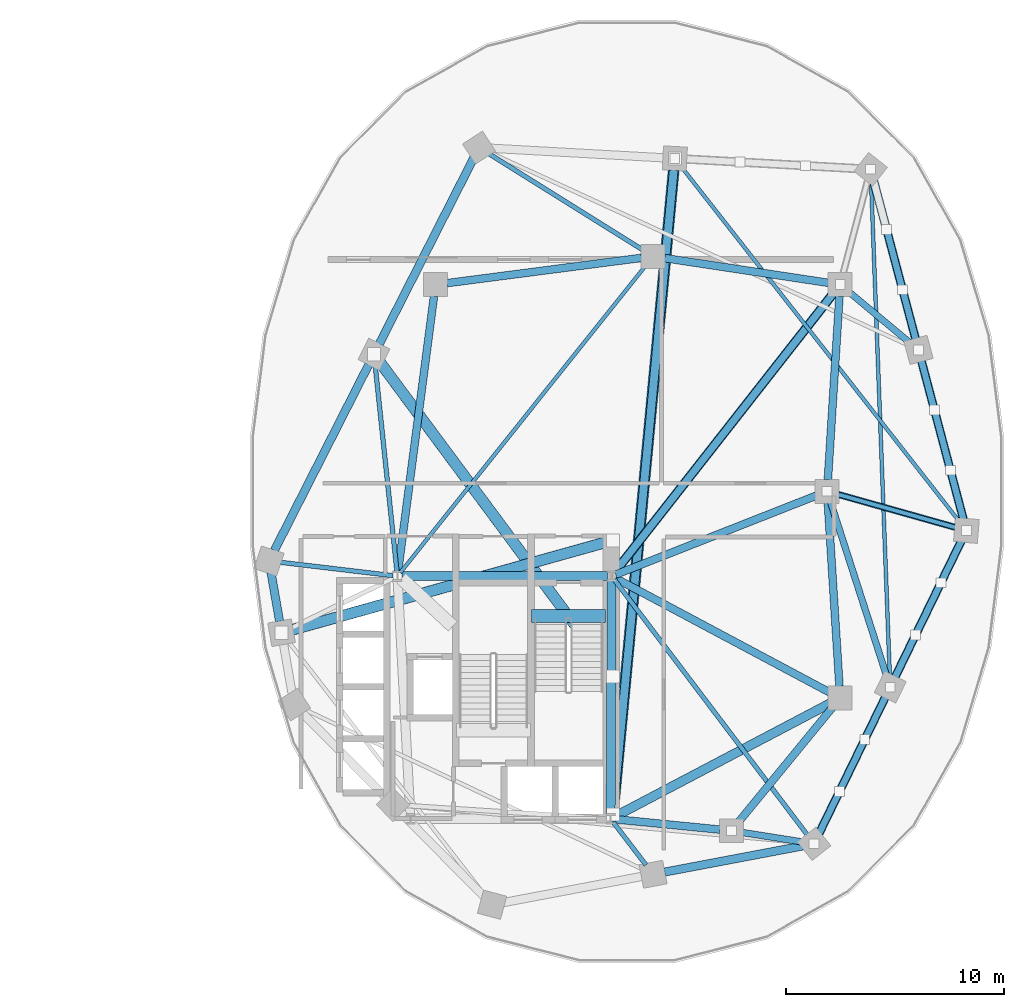
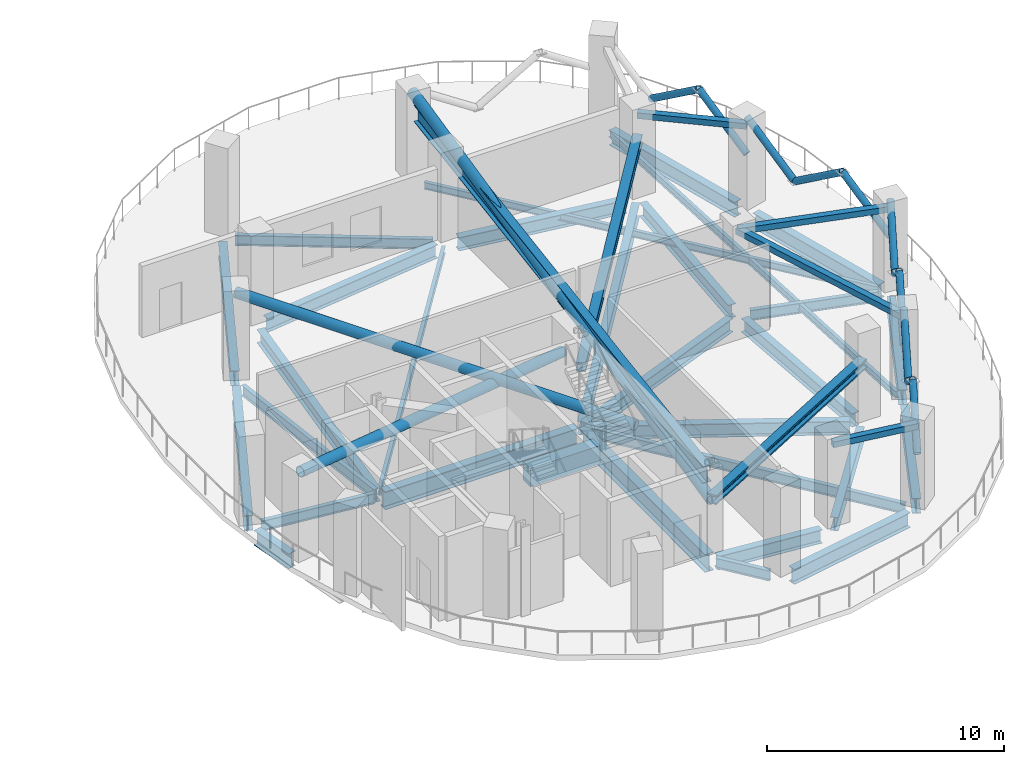
# One storey, part 3 of 12: 31 beams, 20 members.
"""IFC4 building model written with IfcOpenShell, lengths in metres."""

from ifc_helpers import new_model, si_unit, direction, frame, origin, origin_2d, place, context, subcontext, project, spatial, rectangle, hollow_rectangle, hollow_circle, i_section, extrude, material, material_profile, profile_set, type_object, element, save


model = new_model("IFC4")

# Units and contexts
model_context = context("Model", 3, precision=1e-05, world=origin(), true_north=direction((0.0, 1.0)))
body_context = subcontext(model_context, "Body", "Model", "MODEL_VIEW")
ifc_project = project(units=[si_unit("LENGTHUNIT", "METRE"), si_unit("AREAUNIT", "SQUARE_METRE"), si_unit("VOLUMEUNIT", "CUBIC_METRE"), si_unit("PLANEANGLEUNIT", "RADIAN"), si_unit("MASSUNIT", "GRAM", prefix="KILO"), si_unit("THERMODYNAMICTEMPERATUREUNIT", "KELVIN"), si_unit("POWERUNIT", "WATT")], contexts=[model_context])

# Site, building, storey
site_placement = place(None, origin())
site = spatial("IfcSite", under=ifc_project, at=site_placement, CompositionType="ELEMENT")
building_placement = place(site_placement, origin())
building = spatial("IfcBuilding", under=site, at=building_placement, Name="Cundina Bronze Exchange", CompositionType="ELEMENT")
storey_placement = place(building_placement, frame((0.0, 0.0, 132.199951171875)))
storey = spatial("IfcBuildingStorey", under=building, at=storey_placement, Name="L34", CompositionType="ELEMENT", Elevation=132.199951171875)

# Beams
ifc_material_1 = material(Name="Concrete C60/75", Category="concrete")
ifc_material_profile_1 = material_profile(ifc_material_1, rectangle(XDim=0.60009765625, YDim=0.949951171875, at=origin_2d()), Name="RC600X950", Category="concrete")
ifc_profile_set_1 = profile_set([ifc_material_profile_1], Name="Concrete C60/75")
beam_type_1 = type_object("IfcBeamType", Name="BM-COUP-RC950", PredefinedType="LINTEL", material=ifc_profile_set_1)
beam_1_placement = place(storey_placement, frame((27.6201171875, -5.719970703125, -0.474853515625), z_axis=(1.0, 0.0, 0.0), x_axis=(0.0, 1.0, 0.0)))
element("IfcBeam", 1, at=beam_1_placement, inside=storey, type_object=beam_type_1, Name="L34 Stair E1 Landing Header Beam", PredefinedType="LINTEL", context=body_context, shape_type="SweptSolid", body=[
    extrude(rectangle(XDim=0.60009765625, YDim=0.949951171875, at=origin_2d()), origin(), (0.0, 0.0, 1.0), 3.39990234375),
])
ifc_material_2 = material(Name="Steel ASTM A992 Grade 50", Category="steel")
ifc_material_profile_2 = material_profile(ifc_material_2, i_section(OverallWidth=0.2099609375, OverallDepth=0.532958984375, WebThickness=0.01025390625, FlangeThickness=0.015625, FilletRadius=0.013916015625, at=origin_2d()), Name="W21X62", Category="steel")
ifc_profile_set_2 = profile_set([ifc_material_profile_2], Name="Steel ASTM A992 Grade 50")
beam_type_2 = type_object("IfcBeamType", Name="BM-FLR-W21B", PredefinedType="BEAM", material=ifc_profile_set_2)
beam_2_placement = place(storey_placement, frame((21.247314453125, -3.8759765625, -0.54638671875), z_axis=(-0.993035701683, 0.117813815752, 0.0), x_axis=(-0.117813815752, -0.993035701683, 0.0)))
element("IfcBeam", 2, at=beam_2_placement, inside=storey, type_object=beam_type_2, Name="L34 Leg E Chordal Floor Beam 00", PredefinedType="BEAM", context=body_context, shape_type="SweptSolid", body=[
    extrude(i_section(OverallWidth=0.2099609375, OverallDepth=0.532958984375, WebThickness=0.01025390625, FlangeThickness=0.015625, FilletRadius=0.013916015625, at=origin_2d()), origin(), (0.0, 0.0, 1.0), 5.19921875),
])
beam_3_placement = place(storey_placement, frame((31.373779296875, -15.2119140625, -0.54638671875), z_axis=(0.607490490457, -0.79432695032, 0.0), x_axis=(0.79432695032, 0.607490490457, 0.0)))
element("IfcBeam", 3, at=beam_3_placement, inside=storey, type_object=beam_type_2, Name="L34 Leg E Chordal Floor Beam 05", PredefinedType="BEAM", context=body_context, shape_type="SweptSolid", body=[
    extrude(i_section(OverallWidth=0.2099609375, OverallDepth=0.532958984375, WebThickness=0.01025390625, FlangeThickness=0.015625, FilletRadius=0.013916015625, at=origin_2d()), origin(), (0.0, 0.0, 1.0), 2.46826171875),
])
beam_4_placement = place(storey_placement, frame((31.423095703125, -4.062744140625, -0.54638671875), z_axis=(0.603095885041, -0.797668699052, 0.0), x_axis=(0.797668699052, 0.603095885041, 0.0)))
element("IfcBeam", 4, at=beam_4_placement, inside=storey, type_object=beam_type_2, Name="L34 Leg E Chordal Floor Beam 06", PredefinedType="BEAM", context=body_context, shape_type="SweptSolid", body=[
    extrude(i_section(OverallWidth=0.2099609375, OverallDepth=0.532958984375, WebThickness=0.01025390625, FlangeThickness=0.015625, FilletRadius=0.013916015625, at=origin_2d()), origin(), (0.0, 0.0, 1.0), 14.677978515625),
])
beam_5_placement = place(storey_placement, frame((41.718017578125, -0.145751953125, -0.54638671875), z_axis=(0.962654865541, -0.270731619598, 0.0), x_axis=(0.270731619598, 0.962654865541, 0.0)))
element("IfcBeam", 5, at=beam_5_placement, inside=storey, type_object=beam_type_2, Name="L34 Leg E Chordal Floor Beam 08", PredefinedType="BEAM", context=body_context, shape_type="SweptSolid", body=[
    extrude(i_section(OverallWidth=0.2099609375, OverallDepth=0.532958984375, WebThickness=0.01025390625, FlangeThickness=0.015625, FilletRadius=0.013916015625, at=origin_2d()), origin(), (0.0, 0.0, 1.0), 5.572021484375),
])
beam_6_placement = place(storey_placement, frame((32.743896484375, 11.085205078125, -0.54638671875), z_axis=(-0.848003227047, 0.529991063055, 0.0), x_axis=(-0.529991063055, -0.848003227047, 0.0)))
element("IfcBeam", 6, at=beam_6_placement, inside=storey, type_object=beam_type_2, Name="L34 Leg E Chordal Floor Beam 12", PredefinedType="BEAM", context=body_context, shape_type="SweptSolid", body=[
    extrude(i_section(OverallWidth=0.2099609375, OverallDepth=0.532958984375, WebThickness=0.01025390625, FlangeThickness=0.015625, FilletRadius=0.013916015625, at=origin_2d()), origin(), (0.0, 0.0, 1.0), 8.358154296875),
])
beam_7_placement = place(storey_placement, frame((21.4287109375, -3.697021484375, -0.54638671875), z_axis=(-0.104822364957, 0.994490961148, 0.0), x_axis=(-0.994490961148, -0.104822364957, 0.0)))
element("IfcBeam", 7, at=beam_7_placement, inside=storey, type_object=beam_type_2, Name="L34 Leg E Chordal Floor Beam 13", PredefinedType="BEAM", context=body_context, shape_type="SweptSolid", body=[
    extrude(i_section(OverallWidth=0.2099609375, OverallDepth=0.532958984375, WebThickness=0.01025390625, FlangeThickness=0.015625, FilletRadius=0.013916015625, at=origin_2d()), origin(), (0.0, 0.0, 1.0), 9.514404296875),
])
ifc_material_profile_3 = material_profile(ifc_material_2, i_section(OverallWidth=0.172119140625, OverallDepth=0.35791015625, WebThickness=0.0078125, FlangeThickness=0.01318359375, FilletRadius=0.010009765625, at=origin_2d()), Name="W14X38", Category="steel")
ifc_profile_set_3 = profile_set([ifc_material_profile_3], Name="Steel ASTM A992 Grade 50")
beam_type_3 = type_object("IfcBeamType", Name="BM-JST-W14", PredefinedType="JOIST", material=ifc_profile_set_3)
beam_8_placement = place(storey_placement, frame((21.577392578125, -3.740478515625, -0.458984375), z_axis=(0.62436887964, 0.781129632095, 0.0), x_axis=(-0.781129632095, 0.62436887964, 0.0)))
element("IfcBeam", 8, at=beam_8_placement, inside=storey, type_object=beam_type_3, Name="L34 E Interior Core-to-Ring Joist 2", PredefinedType="JOIST", context=body_context, shape_type="SweptSolid", body=[
    extrude(i_section(OverallWidth=0.172119140625, OverallDepth=0.35791015625, WebThickness=0.0078125, FlangeThickness=0.01318359375, FilletRadius=0.010009765625, at=origin_2d()), origin(), (0.0, 0.0, 1.0), 18.076904296875),
])
beam_9_placement = place(storey_placement, frame((44.07958984375, -8.46240234375, -0.458984375), z_axis=(-0.03778951385, 0.999285721224, 0.0), x_axis=(-0.999285721224, -0.03778951385, 0.0)))
element("IfcBeam", 9, at=beam_9_placement, inside=storey, type_object=beam_type_3, Name="L34 Leg E Lobe Floor Joist 07-10", PredefinedType="JOIST", context=body_context, shape_type="SweptSolid", body=[
    extrude(i_section(OverallWidth=0.172119140625, OverallDepth=0.35791015625, WebThickness=0.0078125, FlangeThickness=0.01318359375, FilletRadius=0.010009765625, at=origin_2d()), origin(), (0.0, 0.0, 1.0), 22.7412109375),
])
beam_10_placement = place(storey_placement, frame((47.268310546875, -1.37646484375, -0.458984375), z_axis=(-0.616815348306, 0.787107887201, 0.0), x_axis=(-0.787107887201, -0.616815348306, 0.0)))
element("IfcBeam", 10, at=beam_10_placement, inside=storey, type_object=beam_type_3, Name="L34 Leg E Lobe Floor Joist 08-11", PredefinedType="JOIST", context=body_context, shape_type="SweptSolid", body=[
    extrude(i_section(OverallWidth=0.172119140625, OverallDepth=0.35791015625, WebThickness=0.0078125, FlangeThickness=0.01318359375, FilletRadius=0.010009765625, at=origin_2d()), origin(), (0.0, 0.0, 1.0), 20.64892578125),
])
ifc_material_profile_4 = material_profile(ifc_material_2, i_section(OverallWidth=0.39990234375, OverallDepth=0.85498046875, WebThickness=0.018310546875, FlangeThickness=0.029296875, FilletRadius=0.02001953125, at=origin_2d()), Name="W33X201", Category="steel")
ifc_profile_set_4 = profile_set([ifc_material_profile_4], Name="Steel ASTM A992 Grade 50")
beam_type_4 = type_object("IfcBeamType", Name="BM-OUT-W33", PredefinedType="USERDEFINED", material=ifc_profile_set_4)
beam_11_placement = place(storey_placement, frame((31.392333984375, -14.402099609375, 3.482666015625), z_axis=(0.094109454141, 0.995561856763, 0.0), x_axis=(-0.995561856763, 0.094109454141, 0.0)))
element("IfcBeam", 11, at=beam_11_placement, inside=storey, type_object=beam_type_4, Name="L34 E Outrigger Upper Tie Chord 1", ObjectType="GIRDER", PredefinedType="USERDEFINED", context=body_context, shape_type="SweptSolid", body=[
    extrude(i_section(OverallWidth=0.39990234375, OverallDepth=0.85498046875, WebThickness=0.018310546875, FlangeThickness=0.029296875, FilletRadius=0.02001953125, at=origin_2d()), origin(), (0.0, 0.0, 1.0), 29.296630859375),
])
ifc_material_profile_5 = material_profile(ifc_material_2, i_section(OverallWidth=0.35498046875, OverallDepth=0.695068359375, WebThickness=0.015380859375, FlangeThickness=0.02490234375, FilletRadius=0.01806640625, at=origin_2d()), Name="W27X146", Category="steel")
ifc_profile_set_5 = profile_set([ifc_material_profile_5], Name="Steel ASTM A992 Grade 50")
beam_type_5 = type_object("IfcBeamType", Name="BM-RING-W27", PredefinedType="USERDEFINED", material=ifc_profile_set_5)
beam_12_placement = place(storey_placement, frame((31.452880859375, -15.070068359375, -0.62744140625), z_axis=(0.995126271817, -0.098608839051, 0.0), x_axis=(0.098608839051, 0.995126271817, 0.0)))
element("IfcBeam", 12, at=beam_12_placement, inside=storey, type_object=beam_type_5, Name="L34 E Inner Structural Ring Girder 01", ObjectType="GIRDER", PredefinedType="USERDEFINED", context=body_context, shape_type="SweptSolid", body=[
    extrude(i_section(OverallWidth=0.35498046875, OverallDepth=0.695068359375, WebThickness=0.015380859375, FlangeThickness=0.02490234375, FilletRadius=0.01806640625, at=origin_2d()), origin(), (0.0, 0.0, 1.0), 4.83544921875),
])
beam_13_placement = place(storey_placement, frame((37.14111328125, -15.183837890625, -0.62744140625), z_axis=(0.633926549035, 0.773393257295, 0.0), x_axis=(-0.773393257295, 0.633926549035, 0.0)))
element("IfcBeam", 13, at=beam_13_placement, inside=storey, type_object=beam_type_5, Name="L34 E Inner Structural Ring Girder 02", ObjectType="GIRDER", PredefinedType="USERDEFINED", context=body_context, shape_type="SweptSolid", body=[
    extrude(i_section(OverallWidth=0.35498046875, OverallDepth=0.695068359375, WebThickness=0.015380859375, FlangeThickness=0.02490234375, FilletRadius=0.01806640625, at=origin_2d()), origin(), (0.0, 0.0, 1.0), 6.811279296875),
])
for number, where, z_axis, x_axis, name in (
    (14, (41.76611328125, -8.963134765625, -0.62744140625), (-0.06303715519, 0.998011180832, 0.0), (-0.998011180832, -0.06303715519, 0.0), "L34 E Inner Structural Ring Girder 03"),
    (15, (41.23388671875, 0.536865234375, -0.62744140625), (0.06303715519, 0.998011180832, 0.0), (-0.998011180832, 0.06303715519, 0.0), "L34 E Inner Structural Ring Girder 04"),
):
    element("IfcBeam", number, at=place(storey_placement, frame(where, z_axis=z_axis, x_axis=x_axis)), inside=storey, type_object=beam_type_5, Name=name, ObjectType="GIRDER", PredefinedType="USERDEFINED", context=body_context, shape_type="SweptSolid", body=[
        extrude(i_section(OverallWidth=0.35498046875, OverallDepth=0.695068359375, WebThickness=0.015380859375, FlangeThickness=0.02490234375, FilletRadius=0.01806640625, at=origin_2d()), origin(), (0.0, 0.0, 1.0), 8.443115234375),
    ])
beam_14_placement = place(storey_placement, frame((41.26806640625, 9.580322265625, -0.62744140625), z_axis=(-0.988767489563, 0.149461873341, 0.0), x_axis=(-0.149461873341, -0.988767489563, 0.0)))
element("IfcBeam", 16, at=beam_14_placement, inside=storey, type_object=beam_type_5, Name="L34 E Inner Structural Ring Girder 05", ObjectType="GIRDER", PredefinedType="USERDEFINED", context=body_context, shape_type="SweptSolid", body=[
    extrude(i_section(OverallWidth=0.35498046875, OverallDepth=0.695068359375, WebThickness=0.015380859375, FlangeThickness=0.02490234375, FilletRadius=0.01806640625, at=origin_2d()), origin(), (0.0, 0.0, 1.0), 7.621826171875),
])
beam_15_placement = place(storey_placement, frame((32.66650390625, 10.730712890625, -0.62744140625), z_axis=(-0.991654577907, -0.128923225666, 0.0), x_axis=(0.128923225666, -0.991654577907, 0.0)))
element("IfcBeam", 17, at=beam_15_placement, inside=storey, type_object=beam_type_5, Name="L34 E Inner Structural Ring Girder 06", ObjectType="GIRDER", PredefinedType="USERDEFINED", context=body_context, shape_type="SweptSolid", body=[
    extrude(i_section(OverallWidth=0.35498046875, OverallDepth=0.695068359375, WebThickness=0.015380859375, FlangeThickness=0.02490234375, FilletRadius=0.01806640625, at=origin_2d()), origin(), (0.0, 0.0, 1.0), 9.00830078125),
])
beam_16_placement = place(storey_placement, frame((23.13037109375, 8.966552734375, -0.62744140625), z_axis=(-0.129507526533, -0.99157843894, 0.0), x_axis=(0.99157843894, -0.129507526533, 0.0)))
element("IfcBeam", 18, at=beam_16_placement, inside=storey, type_object=beam_type_5, Name="L34 E Inner Structural Ring Girder 07", ObjectType="GIRDER", PredefinedType="USERDEFINED", context=body_context, shape_type="SweptSolid", body=[
    extrude(i_section(OverallWidth=0.35498046875, OverallDepth=0.695068359375, WebThickness=0.015380859375, FlangeThickness=0.02490234375, FilletRadius=0.01806640625, at=origin_2d()), origin(), (0.0, 0.0, 1.0), 12.77197265625),
])
beam_17_placement = place(storey_placement, frame((31.48974609375, -3.8251953125, -0.62744140625), z_axis=(0.930413235418, 0.366512225388, 0.0), x_axis=(-0.366512225388, 0.930413235418, 0.0)))
element("IfcBeam", 19, at=beam_17_placement, inside=storey, type_object=beam_type_5, Name="L34 E Core-to-Waist Tie Beam 1", ObjectType="GIRDER", PredefinedType="USERDEFINED", context=body_context, shape_type="SweptSolid", body=[
    extrude(i_section(OverallWidth=0.35498046875, OverallDepth=0.695068359375, WebThickness=0.015380859375, FlangeThickness=0.02490234375, FilletRadius=0.01806640625, at=origin_2d()), origin(), (0.0, 0.0, 1.0), 9.8984375),
])
beam_18_placement = place(storey_placement, frame((31.47998046875, -3.99609375, -0.62744140625), z_axis=(0.882354758239, -0.470584828286, 0.0), x_axis=(0.470584828286, 0.882354758239, 0.0)))
element("IfcBeam", 20, at=beam_18_placement, inside=storey, type_object=beam_type_5, Name="L34 E Core-to-Waist Tie Beam 2", ObjectType="GIRDER", PredefinedType="USERDEFINED", context=body_context, shape_type="SweptSolid", body=[
    extrude(i_section(OverallWidth=0.35498046875, OverallDepth=0.695068359375, WebThickness=0.015380859375, FlangeThickness=0.02490234375, FilletRadius=0.01806640625, at=origin_2d()), origin(), (0.0, 0.0, 1.0), 11.157958984375),
])
beam_19_placement = place(storey_placement, frame((31.42578125, -3.739501953125, -0.62744140625), z_axis=(0.616789275748, 0.787128318206, 0.0), x_axis=(-0.787128318206, 0.616789275748, 0.0)))
element("IfcBeam", 21, at=beam_19_placement, inside=storey, type_object=beam_type_5, Name="L34 E Core-to-Waist Tie Beam 3", ObjectType="GIRDER", PredefinedType="USERDEFINED", context=body_context, shape_type="SweptSolid", body=[
    extrude(i_section(OverallWidth=0.35498046875, OverallDepth=0.695068359375, WebThickness=0.015380859375, FlangeThickness=0.02490234375, FilletRadius=0.01806640625, at=origin_2d()), origin(), (0.0, 0.0, 1.0), 16.281982421875),
])
ifc_material_profile_6 = material_profile(ifc_material_2, i_section(OverallWidth=0.381103515625, OverallDepth=0.77294921875, WebThickness=0.0166015625, FlangeThickness=0.027099609375, FilletRadius=0.01904296875, at=origin_2d()), Name="W30X173", Category="steel")
ifc_profile_set_6 = profile_set([ifc_material_profile_6], Name="Steel ASTM A992 Grade 50")
beam_type_6 = type_object("IfcBeamType", Name="BM-RING-W30", PredefinedType="USERDEFINED", material=ifc_profile_set_6)
beam_20_placement = place(storey_placement, frame((15.642333984375, -3.72998046875, -0.66650390625), z_axis=(0.171690078326, -0.985151012284, 0.0), x_axis=(0.985151012284, 0.171690078326, 0.0)))
element("IfcBeam", 22, at=beam_20_placement, inside=storey, type_object=beam_type_6, Name="L34 E Perimeter Ring Girder 00", ObjectType="GIRDER", PredefinedType="USERDEFINED", context=body_context, shape_type="SweptSolid", body=[
    extrude(i_section(OverallWidth=0.381103515625, OverallDepth=0.77294921875, WebThickness=0.0166015625, FlangeThickness=0.027099609375, FilletRadius=0.01904296875, at=origin_2d()), origin(), (0.0, 0.0, 1.0), 2.273681640625),
])
beam_21_placement = place(storey_placement, frame((33.728515625, -17.5, -0.66650390625), z_axis=(0.98257117919, 0.185886733861, 0.0), x_axis=(-0.185886733861, 0.98257117919, 0.0)))
element("IfcBeam", 23, at=beam_21_placement, inside=storey, type_object=beam_type_6, Name="L34 E Perimeter Ring Girder 05", ObjectType="GIRDER", PredefinedType="USERDEFINED", context=body_context, shape_type="SweptSolid", body=[
    extrude(i_section(OverallWidth=0.381103515625, OverallDepth=0.77294921875, WebThickness=0.0166015625, FlangeThickness=0.027099609375, FilletRadius=0.01904296875, at=origin_2d()), origin(), (0.0, 0.0, 1.0), 6.455322265625),
])
for number, where, z_axis, x_axis, name in (
    (24, (40.835205078125, -15.716064453125, -0.66650390625), (0.437193894283, 0.899367276924, 0.0), (-0.899367276924, 0.437193894283, 0.0), "L34 E Perimeter Ring Girder 06"),
    (25, (44.335205078125, -8.51611328125, -0.66650390625), (0.437193894283, 0.899367276924, 0.0), (-0.899367276924, 0.437193894283, 0.0), "L34 E Perimeter Ring Girder 07"),
):
    element("IfcBeam", number, at=place(storey_placement, frame(where, z_axis=z_axis, x_axis=x_axis)), inside=storey, type_object=beam_type_6, Name=name, ObjectType="GIRDER", PredefinedType="USERDEFINED", context=body_context, shape_type="SweptSolid", body=[
        extrude(i_section(OverallWidth=0.381103515625, OverallDepth=0.77294921875, WebThickness=0.0166015625, FlangeThickness=0.027099609375, FilletRadius=0.01904296875, at=origin_2d()), origin(), (0.0, 0.0, 1.0), 6.929443359375),
    ])
for number, where, z_axis, x_axis, name in (
    (26, (47.462158203125, -1.280029296875, -0.66650390625), (-0.256209719931, 0.966621218168, 0.0), (-0.966621218168, -0.256209719931, 0.0), "L34 E Perimeter Ring Girder 08"),
    (27, (45.26220703125, 7.02001953125, -0.66650390625), (-0.256209719931, 0.966621218168, 0.0), (-0.966621218168, -0.256209719931, 0.0), "L34 E Perimeter Ring Girder 09"),
):
    element("IfcBeam", number, at=place(storey_placement, frame(where, z_axis=z_axis, x_axis=x_axis)), inside=storey, type_object=beam_type_6, Name=name, ObjectType="GIRDER", PredefinedType="USERDEFINED", context=body_context, shape_type="SweptSolid", body=[
        extrude(i_section(OverallWidth=0.381103515625, OverallDepth=0.77294921875, WebThickness=0.0166015625, FlangeThickness=0.027099609375, FilletRadius=0.01904296875, at=origin_2d()), origin(), (0.0, 0.0, 1.0), 7.5107421875),
    ])
for number, where, z_axis, x_axis, name in (
    (28, (24.956298828125, 15.3203125, -0.66650390625), (-0.452832332744, -0.891595692241, 0.0), (0.891595692241, -0.452832332744, 0.0), "L34 E Perimeter Ring Girder 12"),
    (29, (20.13134765625, 5.8203125, -0.66650390625), (-0.452832332744, -0.891595692241, 0.0), (0.891595692241, -0.452832332744, 0.0), "L34 E Perimeter Ring Girder 13"),
):
    element("IfcBeam", number, at=place(storey_placement, frame(where, z_axis=z_axis, x_axis=x_axis)), inside=storey, type_object=beam_type_6, Name=name, ObjectType="GIRDER", PredefinedType="USERDEFINED", context=body_context, shape_type="SweptSolid", body=[
        extrude(i_section(OverallWidth=0.381103515625, OverallDepth=0.77294921875, WebThickness=0.0166015625, FlangeThickness=0.027099609375, FilletRadius=0.01904296875, at=origin_2d()), origin(), (0.0, 0.0, 1.0), 9.578857421875),
    ])
ifc_material_profile_7 = material_profile(ifc_material_2, i_section(OverallWidth=0.41796875, OverallDepth=0.927001953125, WebThickness=0.019287109375, FlangeThickness=0.031982421875, FilletRadius=0.02392578125, at=origin_2d()), Name="W36X231", Category="steel")
ifc_profile_set_7 = profile_set([ifc_material_profile_7], Name="Steel ASTM A992 Grade 50")
beam_type_7 = type_object("IfcBeamType", Name="BM-WRN-W36B", PredefinedType="USERDEFINED", material=ifc_profile_set_7)
beam_22_placement = place(storey_placement, frame((31.095947265625, -3.89990234375, -0.743408203125), z_axis=(-1.0, 0.0, 0.0), x_axis=(0.0, -1.0, 0.0)))
element("IfcBeam", 30, at=beam_22_placement, inside=storey, type_object=beam_type_7, Name="L34 E Core Perimeter Tie Girder 1", ObjectType="GIRDER", PredefinedType="USERDEFINED", context=body_context, shape_type="SweptSolid", body=[
    extrude(i_section(OverallWidth=0.41796875, OverallDepth=0.927001953125, WebThickness=0.019287109375, FlangeThickness=0.031982421875, FilletRadius=0.02392578125, at=origin_2d()), origin(), (0.0, 0.0, 1.0), 9.44189453125),
])
beam_23_placement = place(storey_placement, frame((31.2509765625, -14.845947265625, -0.743408203125), z_axis=(0.004477329608, 0.99998997671, 0.0), x_axis=(-0.99998997671, 0.004477329608, 0.0)))
element("IfcBeam", 31, at=beam_23_placement, inside=storey, type_object=beam_type_7, Name="L34 E Core Perimeter Tie Girder 4", ObjectType="GIRDER", PredefinedType="USERDEFINED", context=body_context, shape_type="SweptSolid", body=[
    extrude(i_section(OverallWidth=0.41796875, OverallDepth=0.927001953125, WebThickness=0.019287109375, FlangeThickness=0.031982421875, FilletRadius=0.02392578125, at=origin_2d()), origin(), (0.0, 0.0, 1.0), 10.741943359375),
])

# Members
ifc_material_3 = material(Name="Steel ASTM A500 Grade C", Category="steel")
ifc_material_profile_8 = material_profile(ifc_material_3, hollow_circle(Radius=0.162109375, WallThickness=0.01611328125, at=origin_2d()), Name="CHS324X16", Category="steel")
ifc_profile_set_8 = profile_set([ifc_material_profile_8], Name="Steel ASTM A500 Grade C")
member_type_1 = type_object("IfcMemberType", Name="MBR-BLT-CHS324", PredefinedType="BRACE", material=ifc_profile_set_8)
member_1_placement = place(storey_placement, frame((47.60009765625, -1.800048828125, 2.41015625), z_axis=(-0.213129937206, 0.804061777082, 0.555031790533), x_axis=(-0.966618915213, -0.256218408303, 0.0)))
element("IfcMember", 32, at=member_1_placement, inside=storey, type_object=member_type_1, Name="L34 E Perimeter Belt M-Truss Diagonal 1A", PredefinedType="BRACE", context=body_context, shape_type="SweptSolid", body=[
    extrude(hollow_circle(Radius=0.162109375, WallThickness=0.01611328125, at=origin_2d()), origin(), (0.0, 0.0, 1.0), 3.441162109375),
])
for number, where, z_axis, x_axis, name in (
    (33, (46.86669921875, 0.966796875, 4.320068359375), (-0.213142096165, 0.804036695654, -0.555063454827), (-0.966613315255, -0.256239533977, 0.0), "L34 E Perimeter Belt M-Truss Diagonal 1B"),
    (34, (46.13330078125, 3.7333984375, 2.41015625), (-0.213142096165, 0.804036695654, 0.555063454827), (-0.966613315255, -0.256239533977, 0.0), "L34 E Perimeter Belt M-Truss Diagonal 1C"),
):
    element("IfcMember", number, at=place(storey_placement, frame(where, z_axis=z_axis, x_axis=x_axis)), inside=storey, type_object=member_type_1, Name=name, PredefinedType="BRACE", context=body_context, shape_type="SweptSolid", body=[
        extrude(hollow_circle(Radius=0.162109375, WallThickness=0.01611328125, at=origin_2d()), origin(), (0.0, 0.0, 1.0), 3.44091796875),
    ])
member_2_placement = place(storey_placement, frame((44.10009765625, -9.0, 2.41015625), z_axis=(0.355482423066, 0.731350401577, 0.582029927929), x_axis=(-0.899384841713, 0.437157759278, 0.0)))
element("IfcMember", 35, at=member_2_placement, inside=storey, type_object=member_type_1, Name="L34 E Perimeter Belt M-Truss Diagonal 2A", PredefinedType="BRACE", context=body_context, shape_type="SweptSolid", body=[
    extrude(hollow_circle(Radius=0.162109375, WallThickness=0.01611328125, at=origin_2d()), origin(), (0.0, 0.0, 1.0), 3.281494140625),
])
member_3_placement = place(storey_placement, frame((45.2666015625, -6.60009765625, 4.320068359375), z_axis=(0.355528074031, 0.731365661394, -0.581982867367), x_axis=(-0.899366355353, 0.437195790075, 0.0)))
element("IfcMember", 36, at=member_3_placement, inside=storey, type_object=member_type_1, Name="L34 E Perimeter Belt M-Truss Diagonal 2B", PredefinedType="BRACE", context=body_context, shape_type="SweptSolid", body=[
    extrude(hollow_circle(Radius=0.162109375, WallThickness=0.01611328125, at=origin_2d()), origin(), (0.0, 0.0, 1.0), 3.28173828125),
])
member_4_placement = place(storey_placement, frame((46.433349609375, -4.199951171875, 2.41015625), z_axis=(0.355547418584, 0.731331057686, 0.582014533497), x_axis=(-0.899348867178, 0.437231763606, 0.0)))
element("IfcMember", 37, at=member_4_placement, inside=storey, type_object=member_type_1, Name="L34 E Perimeter Belt M-Truss Diagonal 2C", PredefinedType="BRACE", context=body_context, shape_type="SweptSolid", body=[
    extrude(hollow_circle(Radius=0.162109375, WallThickness=0.01611328125, at=origin_2d()), origin(), (0.0, 0.0, 1.0), 3.281494140625),
])
for number, where, z_axis, x_axis, name in (
    (38, (45.39990234375, 6.5, 2.41015625), (-0.213074365219, 0.804048853369, 0.555071847856), (-0.966634439785, -0.256159832569, 0.0), "L34 E Perimeter Belt M-Truss Diagonal 3A"),
    (39, (44.666748046875, 9.2666015625, 4.320068359375), (-0.213142096165, 0.804036695654, -0.555063454827), (-0.966613315255, -0.256239533977, 0.0), "L34 E Perimeter Belt M-Truss Diagonal 3B"),
):
    element("IfcMember", number, at=place(storey_placement, frame(where, z_axis=z_axis, x_axis=x_axis)), inside=storey, type_object=member_type_1, Name=name, PredefinedType="BRACE", context=body_context, shape_type="SweptSolid", body=[
        extrude(hollow_circle(Radius=0.162109375, WallThickness=0.01611328125, at=origin_2d()), origin(), (0.0, 0.0, 1.0), 3.44091796875),
    ])
member_5_placement = place(storey_placement, frame((40.60009765625, -16.199951171875, 2.41015625), z_axis=(0.355482423066, 0.731350401577, 0.582029927929), x_axis=(-0.899384841713, 0.437157759278, 0.0)))
element("IfcMember", 40, at=member_5_placement, inside=storey, type_object=member_type_1, Name="L34 E Perimeter Belt M-Truss Diagonal 4A", PredefinedType="BRACE", context=body_context, shape_type="SweptSolid", body=[
    extrude(hollow_circle(Radius=0.162109375, WallThickness=0.01611328125, at=origin_2d()), origin(), (0.0, 0.0, 1.0), 3.281494140625),
])
member_6_placement = place(storey_placement, frame((41.7666015625, -13.800048828125, 4.320068359375), z_axis=(0.355528074031, 0.731365661394, -0.581982867367), x_axis=(-0.899366355353, 0.437195790075, 0.0)))
element("IfcMember", 41, at=member_6_placement, inside=storey, type_object=member_type_1, Name="L34 E Perimeter Belt M-Truss Diagonal 4B", PredefinedType="BRACE", context=body_context, shape_type="SweptSolid", body=[
    extrude(hollow_circle(Radius=0.162109375, WallThickness=0.01611328125, at=origin_2d()), origin(), (0.0, 0.0, 1.0), 3.28173828125),
])
member_7_placement = place(storey_placement, frame((42.933349609375, -11.39990234375, 2.41015625), z_axis=(0.355547418584, 0.731331057686, 0.582014533497), x_axis=(-0.899348867178, 0.437231763606, 0.0)))
element("IfcMember", 42, at=member_7_placement, inside=storey, type_object=member_type_1, Name="L34 E Perimeter Belt M-Truss Diagonal 4C", PredefinedType="BRACE", context=body_context, shape_type="SweptSolid", body=[
    extrude(hollow_circle(Radius=0.162109375, WallThickness=0.01611328125, at=origin_2d()), origin(), (0.0, 0.0, 1.0), 3.281494140625),
])
ifc_material_profile_9 = material_profile(ifc_material_3, hollow_rectangle(XDim=0.300048828125, YDim=0.300048828125, WallThickness=0.01611328125, at=origin_2d()), Name="HSS300X300X16", Category="steel")
ifc_profile_set_9 = profile_set([ifc_material_profile_9], Name="Steel ASTM A500 Grade C")
member_type_2 = type_object("IfcMemberType", Name="MBR-BLT-HSS300", PredefinedType="STRUT", material=ifc_profile_set_9)
member_8_placement = place(storey_placement, frame((41.199951171875, 0.0, 3.91015625), z_axis=(0.962650641065, -0.270746640342, 0.0), x_axis=(0.270746640342, 0.962650641065, 0.0)))
element("IfcMember", 43, at=member_8_placement, inside=storey, type_object=member_type_2, Name="L34 E Outrigger Collector Strut 1", PredefinedType="STRUT", context=body_context, shape_type="SweptSolid", body=[
    extrude(hollow_rectangle(XDim=0.300048828125, YDim=0.300048828125, WallThickness=0.01611328125, at=origin_2d()), origin(), (0.0, 0.0, 1.0), 6.6484375),
])
member_9_placement = place(storey_placement, frame((41.199951171875, 0.0, 3.91015625), z_axis=(0.306707801861, -0.951803721509, 0.0), x_axis=(0.951803721509, 0.306707801861, 0.0)))
element("IfcMember", 44, at=member_9_placement, inside=storey, type_object=member_type_2, Name="L34 E Outrigger Collector Strut 2", PredefinedType="STRUT", context=body_context, shape_type="SweptSolid", body=[
    extrude(hollow_rectangle(XDim=0.300048828125, YDim=0.300048828125, WallThickness=0.01611328125, at=origin_2d()), origin(), (0.0, 0.0, 1.0), 9.455810546875),
])
member_10_placement = place(storey_placement, frame((41.800048828125, 9.5, 3.91015625), z_axis=(0.768208468069, -0.640199773186, 0.0), x_axis=(0.640199773186, 0.768208468069, 0.0)))
element("IfcMember", 45, at=member_10_placement, inside=storey, type_object=member_type_2, Name="L34 E Outrigger Collector Strut 3", PredefinedType="STRUT", context=body_context, shape_type="SweptSolid", body=[
    extrude(hollow_rectangle(XDim=0.300048828125, YDim=0.300048828125, WallThickness=0.01611328125, at=origin_2d()), origin(), (0.0, 0.0, 1.0), 4.68603515625),
])
member_11_placement = place(storey_placement, frame((36.800048828125, -15.60009765625, 3.91015625), z_axis=(0.98776913913, -0.155923467706, 0.0), x_axis=(0.155923467706, 0.98776913913, 0.0)))
element("IfcMember", 46, at=member_11_placement, inside=storey, type_object=member_type_2, Name="L34 E Outrigger Collector Strut 4", PredefinedType="STRUT", context=body_context, shape_type="SweptSolid", body=[
    extrude(hollow_rectangle(XDim=0.300048828125, YDim=0.300048828125, WallThickness=0.01611328125, at=origin_2d()), origin(), (0.0, 0.0, 1.0), 3.84716796875),
])
ifc_material_profile_10 = material_profile(ifc_material_2, i_section(OverallWidth=0.424072265625, OverallDepth=0.47412109375, WebThickness=0.047607421875, FlangeThickness=0.0771484375, FilletRadius=0.01806640625, at=origin_2d()), Name="W14X426", Category="steel")
ifc_profile_set_10 = profile_set([ifc_material_profile_10], Name="Steel ASTM A992 Grade 50")
member_type_3 = type_object("IfcMemberType", Name="MBR-CHORD-W14X", PredefinedType="CHORD", material=ifc_profile_set_10)
member_12_placement = place(storey_placement, frame((31.300048828125, -3.89990234375, 2.650146484375), z_axis=(0.616786098303, 0.787130808024, 0.0), x_axis=(-0.787130808024, 0.616786098303, 0.0)))
element("IfcMember", 47, at=member_12_placement, inside=storey, type_object=member_type_3, Name="L34 East Outrigger Mid-Height Tie Chord 1", PredefinedType="CHORD", context=body_context, shape_type="SweptSolid", body=[
    extrude(i_section(OverallWidth=0.424072265625, OverallDepth=0.47412109375, WebThickness=0.047607421875, FlangeThickness=0.0771484375, FilletRadius=0.01806640625, at=origin_2d()), origin(), (0.0, 0.0, 1.0), 17.023681640625),
])
member_13_placement = place(storey_placement, frame((31.25, -15.050048828125, 2.650146484375), z_axis=(0.8850083895, 0.465575075058, 0.0), x_axis=(-0.465575075058, 0.8850083895, 0.0)))
element("IfcMember", 48, at=member_13_placement, inside=storey, type_object=member_type_3, Name="L34 East Outrigger Mid-Height Tie Chord 2", PredefinedType="CHORD", context=body_context, shape_type="SweptSolid", body=[
    extrude(i_section(OverallWidth=0.424072265625, OverallDepth=0.47412109375, WebThickness=0.047607421875, FlangeThickness=0.0771484375, FilletRadius=0.01806640625, at=origin_2d()), origin(), (0.0, 0.0, 1.0), 11.9208984375),
])
ifc_material_4 = material(Name="Steel ASTM A501 Grade B", Category="steel")
ifc_material_profile_11 = material_profile(ifc_material_4, hollow_circle(Radius=0.25390625, WallThickness=0.02490234375, at=origin_2d()), Name="CHS508X25", Category="steel")
ifc_profile_set_11 = profile_set([ifc_material_profile_11], Name="Steel ASTM A501 Grade B")
member_type_4 = type_object("IfcMemberType", Name="MBR-OUT-CHS508", PredefinedType="BRACE", material=ifc_profile_set_11)
member_14_placement = place(storey_placement, frame((31.35009765625, -14.85009765625, 2.449951171875), z_axis=(0.093952915547, 0.993978866231, 0.056381407814), x_axis=(-0.995562504252, 0.094102604252, 0.0)))
element("IfcMember", 49, at=member_14_placement, inside=storey, type_object=member_type_4, Name="L34 E Outrigger Truss Diagonal 1", PredefinedType="BRACE", context=body_context, shape_type="SweptSolid", body=[
    extrude(hollow_circle(Radius=0.25390625, WallThickness=0.02490234375, at=origin_2d()), origin(), (0.0, 0.0, 1.0), 30.332763671875),
])
member_15_placement = place(storey_placement, frame((31.35009765625, -8.5, 2.449951171875), z_axis=(-0.593102092524, 0.799805177535, 0.09242070023), x_axis=(-0.803243019028, -0.595651452094, 0.0)))
element("IfcMember", 50, at=member_15_placement, inside=storey, type_object=member_type_4, Name="L34 E Outrigger Truss Diagonal 2", PredefinedType="BRACE", context=body_context, shape_type="SweptSolid", body=[
    extrude(hollow_circle(Radius=0.25390625, WallThickness=0.02490234375, at=origin_2d()), origin(), (0.0, 0.0, 1.0), 18.504638671875),
])
member_16_placement = place(storey_placement, frame((31.35009765625, -2.25, 2.449951171875), z_axis=(-0.957589485629, -0.267305695228, 0.107564131151), x_axis=(0.2688656137, -0.963177699996, 0.0)))
element("IfcMember", 51, at=member_16_placement, inside=storey, type_object=member_type_4, Name="L34 E Outrigger Truss Diagonal 3", PredefinedType="BRACE", context=body_context, shape_type="SweptSolid", body=[
    extrude(hollow_circle(Radius=0.25390625, WallThickness=0.02490234375, at=origin_2d()), origin(), (0.0, 0.0, 1.0), 15.8994140625),
])

save(model, "model.ifc")
